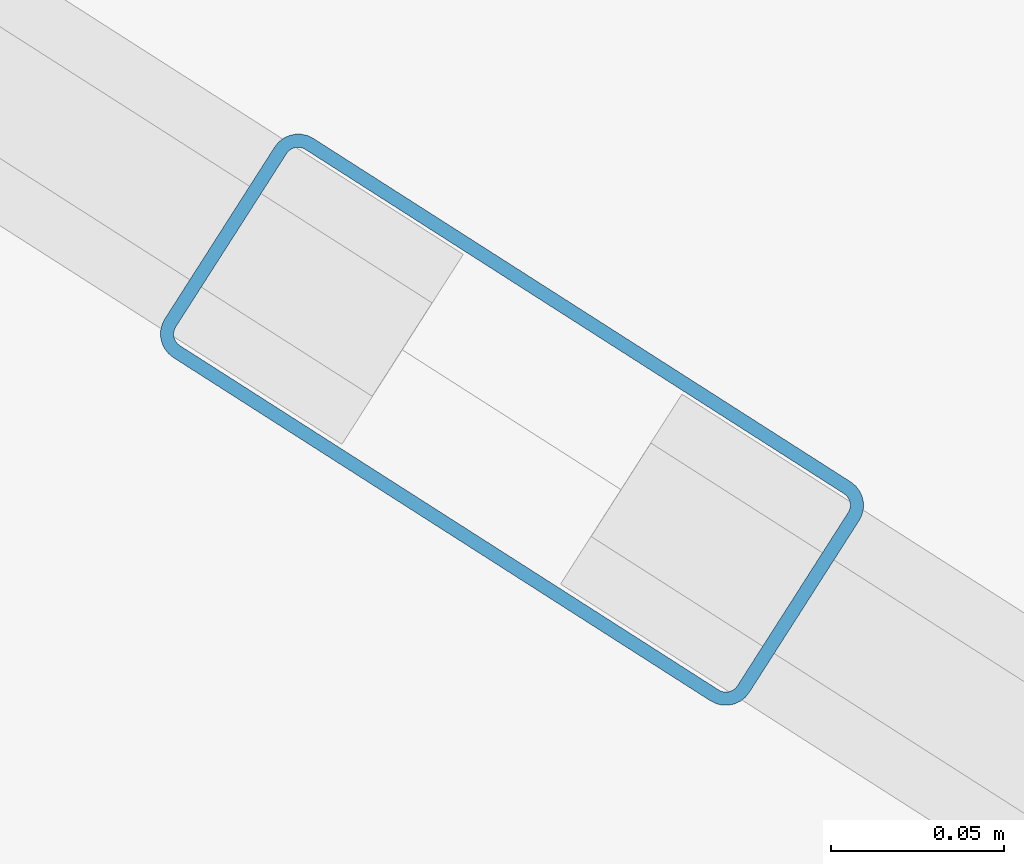
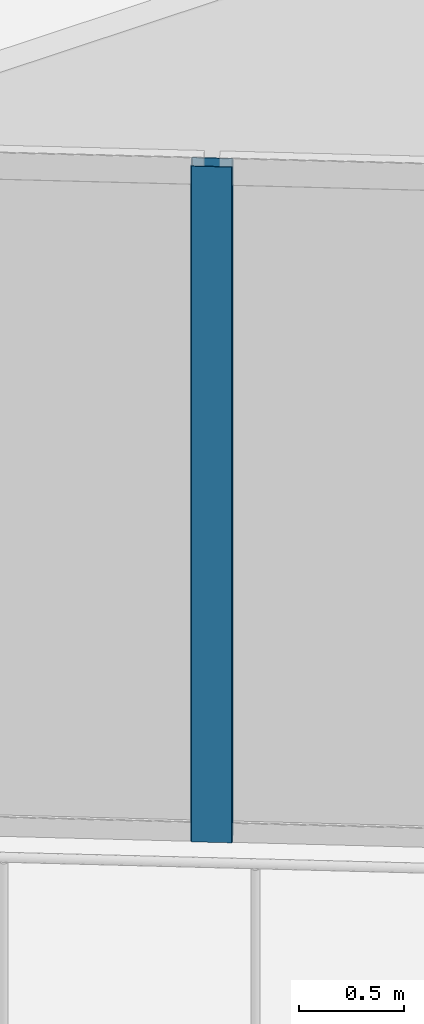
# One storey, part 5 of 47: 1 member, 1 element without a shape of its own.
"""IFC4 building model written with IfcOpenShell, lengths in metres."""

import ifcopenshell
import ifcopenshell.guid

model = None  # the IFC model being written
_history = None  # IfcOwnerHistory: only IFC2X3 demands one
_inside = {}  # id of a spatial element -> (the spatial element, [elements in it])
_under = {}  # id of a project, library or spatial element -> (it, [spatial elements below it])
_declared = {}  # id of a project -> (the project, [libraries it declares])
_typed = {}  # id of a type object -> (the type object, [elements of that type])
_made_of = {}  # id of a material, layer set ... -> (it, [elements and type objects made of it])


def new_model(schema):
    """Start an empty IFC model of exactly this schema.

    Asked for "IFC4X3", IfcOpenShell would pick the latest addendum, in which some entities
    have other attributes; the version numbers below select the first issue.
    IFC2X3 requires an IfcOwnerHistory on every rooted entity: one is made here for all.
    """
    global model, _history
    if schema == "IFC4X3":
        model = ifcopenshell.file(schema_version=(4, 3, 0, 0))
    else:
        model = ifcopenshell.file(schema=schema)
    _inside.clear()
    _under.clear()
    _declared.clear()
    _typed.clear()
    _made_of.clear()
    _history = None
    if model.schema == "IFC2X3":
        org = make("IfcOrganization", Name="unknown")
        user = make(
            "IfcPersonAndOrganization",
            ThePerson=make("IfcPerson", FamilyName="unknown"),
            TheOrganization=org,
        )
        app = make(
            "IfcApplication",
            ApplicationDeveloper=org,
            Version="unknown",
            ApplicationFullName="unknown",
            ApplicationIdentifier="unknown",
        )
        _history = make(
            "IfcOwnerHistory",
            OwningUser=user,
            OwningApplication=app,
            ChangeAction="ADDED",
            CreationDate=0,
        )
    return model


def make(cls, **values):
    """One entity of the class cls with the attributes given. An attribute that is None is left unset."""
    return model.create_entity(
        cls, **{name: value for name, value in values.items() if value is not None}
    )


def rooted(cls, **values):
    """An entity with a GlobalId (a new one), such as an element, a storey or a relation."""
    return make(cls, GlobalId=ifcopenshell.guid.new(), OwnerHistory=_history, **values)


def si_unit(unit_type, name, prefix=None):
    """IfcSIUnit, for example si_unit("LENGTHUNIT", "METRE", prefix="MILLI")."""
    return make("IfcSIUnit", UnitType=unit_type, Prefix=prefix, Name=name)


def assignment(units):
    """IfcUnitAssignment: the units of a project."""
    return None if units is None else make("IfcUnitAssignment", Units=units)


def point(xyz):
    """IfcCartesianPoint."""
    return None if xyz is None else make("IfcCartesianPoint", Coordinates=xyz)


def direction(xyz):
    """IfcDirection."""
    return None if xyz is None else make("IfcDirection", DirectionRatios=xyz)


def frame(location, z_axis=None, x_axis=None):
    """IfcAxis2Placement3D, a coordinate frame: its origin and axes. An axis left out is left unset."""
    return make(
        "IfcAxis2Placement3D",
        Location=point(location),
        Axis=direction(z_axis),
        RefDirection=direction(x_axis),
    )


def frame_2d(location, x_axis=None):
    """IfcAxis2Placement2D, a coordinate frame in the plane: its origin and x axis."""
    return make(
        "IfcAxis2Placement2D", Location=point(location), RefDirection=direction(x_axis)
    )


def origin():
    """The frame at (0, 0, 0) with its axes left unset."""
    return frame((0.0, 0.0, 0.0))


def origin_2d():
    """The frame at (0, 0) in the plane with its x axis left unset."""
    return frame_2d((0.0, 0.0))


def place(relative_to, where):
    """IfcLocalPlacement: puts the frame where relative to a parent placement (None: the world)."""
    return make(
        "IfcLocalPlacement", PlacementRelTo=relative_to, RelativePlacement=where
    )


def context(
    kind, dimensions, precision=None, world=None, true_north=None, identifier=None
):
    """IfcGeometricRepresentationContext, for example the 3D "Model" context."""
    return make(
        "IfcGeometricRepresentationContext",
        ContextIdentifier=identifier,
        ContextType=kind,
        CoordinateSpaceDimension=dimensions,
        Precision=precision,
        WorldCoordinateSystem=world,
        TrueNorth=true_north,
    )


def subcontext(parent, identifier, kind, view, scale=None):
    """IfcGeometricRepresentationSubContext, for example "Body" below "Model"."""
    return make(
        "IfcGeometricRepresentationSubContext",
        ContextIdentifier=identifier,
        ContextType=kind,
        ParentContext=parent,
        TargetScale=scale,
        TargetView=view,
    )


def project(units=None, contexts=None):
    """IfcProject with its units and contexts."""
    return rooted(
        "IfcProject",
        Name="project",
        RepresentationContexts=contexts,
        UnitsInContext=assignment(units),
    )


def spatial(cls, under=None, at=None, **own):
    """A site, building, storey or space (cls), placed at a placement, below another one or the project."""
    s = rooted(cls, ObjectPlacement=at, **own)
    if under is not None:
        _under.setdefault(under.id(), (under, []))[1].append(s)
    return s


def profile(cls, at=None, kind="AREA", **sizes):
    """A parametric profile (cls). Its sizes go by their IFC names, for example OverallWidth=200.0."""
    return make(cls, ProfileType=kind, Position=at, **sizes)


def hollow_rectangle(**sizes):
    """IfcRectangleHollowProfileDef."""
    return profile("IfcRectangleHollowProfileDef", **sizes)


def extrude(swept, where, along, depth):
    """IfcExtrudedAreaSolid: the profile swept, set in the frame where, extruded along a direction by depth."""
    return make(
        "IfcExtrudedAreaSolid",
        SweptArea=swept,
        Position=where,
        ExtrudedDirection=direction(along),
        Depth=depth,
    )


def shape(context_of_items, identifier, shape_type, items):
    """IfcShapeRepresentation: the items that make up one representation, for example the "Body"."""
    return make(
        "IfcShapeRepresentation",
        ContextOfItems=context_of_items,
        RepresentationIdentifier=identifier,
        RepresentationType=shape_type,
        Items=items,
    )


def material(Name=None, Category=None):
    """IfcMaterial."""
    return make("IfcMaterial", Name=Name, Category=Category)


def layer(
    of_material, thickness, ventilated=None, Name=None, Category=None, Priority=None
):
    """IfcMaterialLayer: one layer of a wall or slab, of a material (None: an air gap)."""
    return make(
        "IfcMaterialLayer",
        Material=of_material,
        LayerThickness=thickness,
        IsVentilated=ventilated,
        Name=Name,
        Category=Category,
        Priority=Priority,
    )


def layer_set(layers, Name=None):
    """IfcMaterialLayerSet."""
    return make("IfcMaterialLayerSet", MaterialLayers=layers, LayerSetName=Name)


def material_profile(
    of_material, cross_section, Name=None, Category=None, Priority=None
):
    """IfcMaterialProfile: a cross section and its material."""
    return make(
        "IfcMaterialProfile",
        Name=Name,
        Material=of_material,
        Profile=cross_section,
        Priority=Priority,
        Category=Category,
    )


def profile_set(profiles, Name=None, composite=None):
    """IfcMaterialProfileSet."""
    return make(
        "IfcMaterialProfileSet",
        Name=Name,
        MaterialProfiles=profiles,
        CompositeProfile=composite,
    )


def made_of(thing, what):
    """Note that an element or type object is made of a material, layer set ...; save() writes the relation."""
    if what is not None:
        _made_of.setdefault(what.id(), (what, []))[1].append(thing)
    return thing


def type_object(cls, material=None, **own):
    """A type object (cls), such as IfcWallType, which elements share."""
    return made_of(rooted(cls, **own), material)


def element(
    cls,
    number,
    at=None,
    inside=None,
    cuts=None,
    type_object=None,
    material=None,
    context=None,
    identifier="Body",
    shape_type=None,
    held_by="IfcProductDefinitionShape",
    body=None,
    shapes=None,
    **own,
):
    """One element of the class cls, such as IfcWall. Its Tag is "e" and its number.

    at: its placement. inside: the storey or other place that contains it. cuts: it is an
    opening in that element (IfcRelVoidsElement). A single representation is given by context,
    identifier, shape_type and body (its items); several are given by shapes. held_by: the class
    of the entity that holds the representations. save() writes the other relations.
    """
    e = rooted(cls, Tag="e%d" % number, ObjectPlacement=at, **own)
    if body is not None:
        shapes = [shape(context, identifier, shape_type, body)]
    if shapes is not None:
        e.Representation = make(held_by, Representations=shapes)
    if inside is not None:
        _inside.setdefault(inside.id(), (inside, []))[1].append(e)
    if cuts is not None:
        rooted(
            "IfcRelVoidsElement", RelatingBuildingElement=cuts, RelatedOpeningElement=e
        )
    if type_object is not None:
        _typed.setdefault(type_object.id(), (type_object, []))[1].append(e)
    return made_of(e, material)


def aggregate(whole, parts):
    """IfcRelAggregates: a whole, such as a stair, and the parts it consists of."""
    return rooted("IfcRelAggregates", RelatingObject=whole, RelatedObjects=parts)


def save(model, path):
    """Write the relations noted so far, then the file.

    IfcRelAggregates (storeys below a building ...), IfcRelContainedInSpatialStructure (elements
    in a storey), IfcRelDefinesByType, IfcRelAssociatesMaterial and IfcRelDeclares: one each for
    every whole, place, type object, material and project.
    """
    for whole, parts in _under.values():
        aggregate(whole, parts)
    for where, things in _inside.values():
        rooted(
            "IfcRelContainedInSpatialStructure",
            RelatedElements=things,
            RelatingStructure=where,
        )
    for kind, things in _typed.values():
        rooted("IfcRelDefinesByType", RelatedObjects=things, RelatingType=kind)
    for what, things in _made_of.values():
        rooted("IfcRelAssociatesMaterial", RelatedObjects=things, RelatingMaterial=what)
    for by, libraries in _declared.values():
        rooted("IfcRelDeclares", RelatingContext=by, RelatedDefinitions=libraries)
    model.write(path)


model = new_model("IFC4")

# Units and contexts
model_context = context("Model", 3, precision=1e-05, world=origin(), true_north=direction((0.0, 1.0)))
body_context = subcontext(model_context, "Body", "Model", "MODEL_VIEW")
ifc_project = project(units=[si_unit("LENGTHUNIT", "METRE"), si_unit("AREAUNIT", "SQUARE_METRE"), si_unit("VOLUMEUNIT", "CUBIC_METRE"), si_unit("PLANEANGLEUNIT", "RADIAN"), si_unit("MASSUNIT", "GRAM", prefix="KILO")], contexts=[model_context])

# Site, building, storey
site_placement = place(None, origin())
site = spatial("IfcSite", under=ifc_project, at=site_placement, CompositionType="ELEMENT")
building_placement = place(site_placement, origin())
building = spatial("IfcBuilding", under=site, at=building_placement, Name="Qorvath Tower", CompositionType="ELEMENT")
storey_placement = place(building_placement, frame((0.0, 0.0, 82.800048828125)))
storey = spatial("IfcBuildingStorey", under=building, at=storey_placement, Name="L18", CompositionType="ELEMENT", Elevation=82.800048828125)

# Curtain wall, member
ifc_material_1 = material(Name="Anodised aluminium and triple low-E glass", Category="aluminium")
ifc_layer = layer(ifc_material_1, 0.179931640625)
ifc_layer_set = layer_set([ifc_layer], Name="CW-SYS-5")
curtain_wall_type = type_object("IfcCurtainWallType", Name="CW-SYS-5", PredefinedType="NOTDEFINED", material=ifc_layer_set)
curtain_wall_placement = place(storey_placement, origin())
curtain_wall = element("IfcCurtainWall", 1, at=curtain_wall_placement, inside=storey, type_object=curtain_wall_type, Name="Curtain Wall CW-5 CW-T-L18-6.1", PredefinedType="NOTDEFINED")
ifc_material_2 = material(Name="Anodised aluminium 6063-T6", Category="aluminium")
ifc_material_profile = material_profile(ifc_material_2, hollow_rectangle(XDim=0.074951171875, YDim=0.199951171875, WallThickness=0.00390625, InnerFilletRadius=0.00390625, OuterFilletRadius=0.008056640625, at=origin_2d()), Name="CWM 200x75")
ifc_profile_set = profile_set([ifc_material_profile], Name="Anodised aluminium 6063-T6")
member_type = type_object("IfcMemberType", Name="CWM-200", PredefinedType="MULLION", material=ifc_profile_set)
member_placement = place(storey_placement, frame((-45.0107421875, -12.995361328125, 0.0), z_axis=(0.0, 0.0, 1.0), x_axis=(0.538527563, 0.842607894509, 0.0)))
member = element("IfcMember", 2, at=member_placement, type_object=member_type, Name="CW-5 mullion 4", PredefinedType="MULLION", context=body_context, shape_type="SweptSolid", body=[
    extrude(hollow_rectangle(XDim=0.074951171875, YDim=0.199951171875, WallThickness=0.00390625, InnerFilletRadius=0.00390625, OuterFilletRadius=0.008056640625, at=origin_2d()), origin(), (0.0, 0.0, 1.0), 3.919921875),
])
aggregate(curtain_wall, [member])

save(model, "model.ifc")
